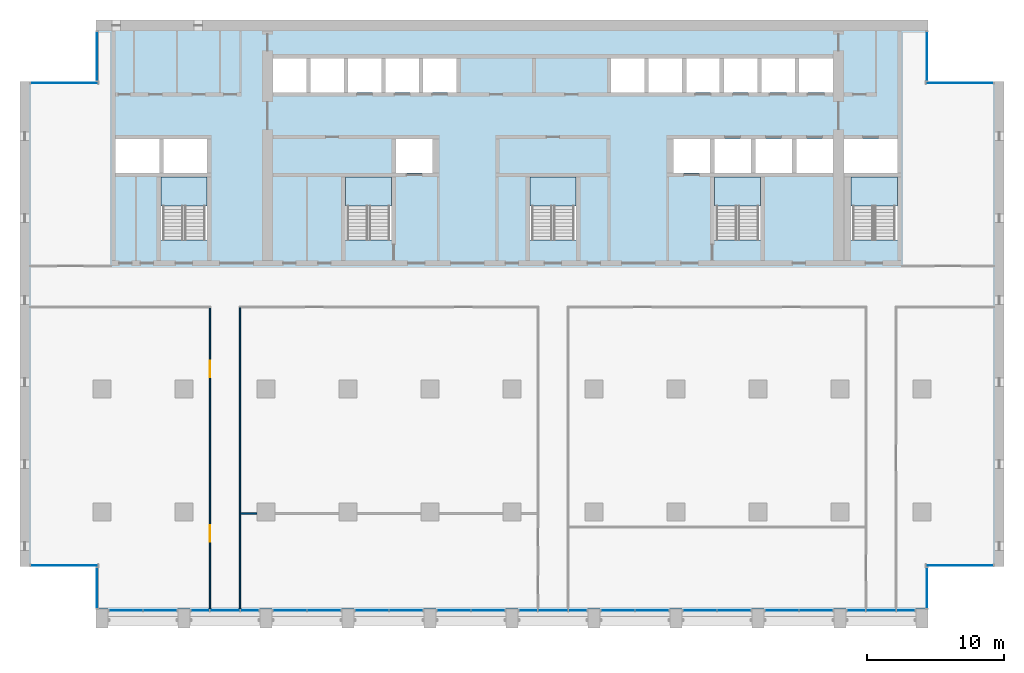
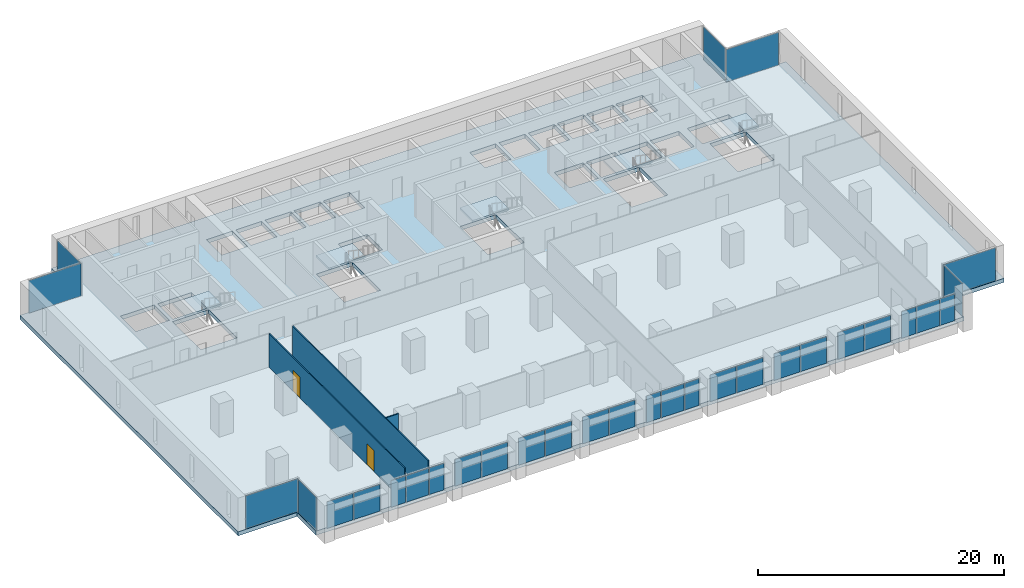
# One storey, part 7 of 15: 31 plates, 6 slabs, 3 walls, 2 doors, 2 openings, 23 elements without a shape of their own.
"""IFC4 building model written with IfcOpenShell, lengths in metres."""

from ifc_helpers import new_model, si_unit, direction, frame, frame_2d, origin, origin_2d, place, context, subcontext, project, spatial, polyline, rectangle, outline, extrude, material, layer, layer_set, type_object, element, fill, aggregate, save


model = new_model("IFC4")

# Units and contexts
model_context = context("Model", 3, precision=1e-05, world=origin(), true_north=direction((0.0, 1.0)))
body_context = subcontext(model_context, "Body", "Model", "MODEL_VIEW")
ifc_project = project(units=[si_unit("LENGTHUNIT", "METRE"), si_unit("AREAUNIT", "SQUARE_METRE"), si_unit("VOLUMEUNIT", "CUBIC_METRE"), si_unit("PLANEANGLEUNIT", "RADIAN"), si_unit("MASSUNIT", "GRAM", prefix="KILO")], contexts=[model_context])

# Site, building, storey
site_placement = place(None, origin())
site = spatial("IfcSite", under=ifc_project, at=site_placement, CompositionType="ELEMENT")
building_placement = place(site_placement, origin())
building = spatial("IfcBuilding", under=site, at=building_placement, Name="Calvaro Tower", CompositionType="ELEMENT")
storey_placement = place(building_placement, frame((0.0, 0.0, 113.75)))
storey = spatial("IfcBuildingStorey", under=building, at=storey_placement, Name="L28", CompositionType="ELEMENT", Elevation=113.75)

# Slab
ifc_material_1 = material(Name="Concrete C40/50", Category="concrete")
ifc_layer_1 = layer(ifc_material_1, 0.39990234375)
ifc_layer_set_1 = layer_set([ifc_layer_1], Name="Concrete C40/50")
slab_type_1 = type_object("IfcSlabType", Name="Floor slab 400 C40/50", PredefinedType="FLOOR", material=ifc_layer_set_1)
slab_1_placement = place(storey_placement, frame((0.0, 0.0, -0.39990234375)))
element("IfcSlab", 1, at=slab_1_placement, inside=storey, type_object=slab_type_1, Name="Floor slab", PredefinedType="FLOOR", context=body_context, shape_type="SweptSolid", body=[
    extrude(outline(polyline([(66.449951171875, 6.0), (66.449951171875, 2.89990234375), (5.550048828125, 2.89990234375), (5.550048828125, 6.0), (0.0, 6.0), (0.0, 41.5), (5.550048828125, 41.5), (5.550048828125, 46.0), (66.449951171875, 46.0), (66.449951171875, 41.5), (72.0, 41.5), (72.0, 6.0), (66.449951171875, 6.0)]), holes=[polyline([(10.300048828125, 29.909912109375), (10.300048828125, 34.5), (12.0, 34.5), (13.699951171875, 34.5), (13.699951171875, 29.909912109375), (12.0, 29.909912109375), (10.300048828125, 29.909912109375)]), polyline([(23.800048828125, 29.909912109375), (23.800048828125, 34.5), (25.5, 34.5), (27.199951171875, 34.5), (27.199951171875, 29.909912109375), (25.5, 29.909912109375), (23.800048828125, 29.909912109375)]), polyline([(37.300048828125, 29.909912109375), (37.300048828125, 34.5), (39.0, 34.5), (40.699951171875, 34.5), (40.699951171875, 29.909912109375), (39.0, 29.909912109375), (37.300048828125, 29.909912109375)]), polyline([(50.800048828125, 29.909912109375), (50.800048828125, 34.5), (52.5, 34.5), (54.199951171875, 34.5), (54.199951171875, 29.909912109375), (52.5, 29.909912109375), (50.800048828125, 29.909912109375)]), polyline([(60.800048828125, 29.909912109375), (60.800048828125, 34.5), (62.5, 34.5), (64.199951171875, 34.5), (64.199951171875, 29.909912109375), (62.5, 29.909912109375), (60.800048828125, 29.909912109375)]), polyline([(50.800048828125, 34.800048828125), (53.5, 34.800048828125), (53.5, 37.300048828125), (50.800048828125, 37.300048828125), (50.800048828125, 34.800048828125)]), polyline([(53.800048828125, 34.800048828125), (56.5, 34.800048828125), (56.5, 37.300048828125), (53.800048828125, 37.300048828125), (53.800048828125, 34.800048828125)]), polyline([(56.800048828125, 34.800048828125), (59.5, 34.800048828125), (59.5, 37.300048828125), (56.800048828125, 37.300048828125), (56.800048828125, 34.800048828125)]), polyline([(18.5, 40.699951171875), (20.949951171875, 40.699951171875), (20.949951171875, 43.199951171875), (18.5, 43.199951171875), (18.5, 40.699951171875)]), polyline([(21.25, 40.699951171875), (23.699951171875, 40.699951171875), (23.699951171875, 43.199951171875), (21.25, 43.199951171875), (21.25, 40.699951171875)]), polyline([(24.0, 40.699951171875), (26.449951171875, 40.699951171875), (26.449951171875, 43.199951171875), (24.0, 43.199951171875), (24.0, 40.699951171875)]), polyline([(26.75, 40.699951171875), (29.199951171875, 40.699951171875), (29.199951171875, 43.199951171875), (26.75, 43.199951171875), (26.75, 40.699951171875)]), polyline([(29.5, 40.699951171875), (31.949951171875, 40.699951171875), (31.949951171875, 43.199951171875), (29.5, 43.199951171875), (29.5, 40.699951171875)]), polyline([(43.25, 40.699951171875), (45.699951171875, 40.699951171875), (45.699951171875, 43.199951171875), (43.25, 43.199951171875), (43.25, 40.699951171875)]), polyline([(46.0, 40.699951171875), (48.449951171875, 40.699951171875), (48.449951171875, 43.199951171875), (46.0, 43.199951171875), (46.0, 40.699951171875)]), polyline([(48.75, 40.699951171875), (51.199951171875, 40.699951171875), (51.199951171875, 43.199951171875), (48.75, 43.199951171875), (48.75, 40.699951171875)]), polyline([(51.5, 40.699951171875), (53.949951171875, 40.699951171875), (53.949951171875, 43.199951171875), (51.5, 43.199951171875), (51.5, 40.699951171875)]), polyline([(54.25, 40.699951171875), (56.699951171875, 40.699951171875), (56.699951171875, 43.199951171875), (54.25, 43.199951171875), (54.25, 40.699951171875)]), polyline([(57.0, 40.699951171875), (59.5, 40.699951171875), (59.5, 43.199951171875), (57.0, 43.199951171875), (57.0, 40.699951171875)]), polyline([(7.0, 34.800048828125), (10.199951171875, 34.800048828125), (10.199951171875, 37.300048828125), (7.0, 37.300048828125), (7.0, 34.800048828125)]), polyline([(10.5, 34.800048828125), (13.699951171875, 34.800048828125), (13.699951171875, 37.300048828125), (10.5, 37.300048828125), (10.5, 34.800048828125)]), polyline([(60.300048828125, 34.800048828125), (64.199951171875, 34.800048828125), (64.199951171875, 37.300048828125), (60.300048828125, 37.300048828125), (60.300048828125, 34.800048828125)]), polyline([(27.5, 34.800048828125), (30.199951171875, 34.800048828125), (30.199951171875, 37.300048828125), (27.5, 37.300048828125), (27.5, 34.800048828125)]), polyline([(47.800048828125, 34.800048828125), (50.5, 34.800048828125), (50.5, 37.300048828125), (47.800048828125, 37.300048828125), (47.800048828125, 34.800048828125)])]), origin(), (0.0, 0.0, 1.0), 0.39990234375),
])

# Curtain wall, plates
ifc_material_2 = material(Name="Anodised aluminium", Category="aluminium")
curtain_wall_type = type_object("IfcCurtainWallType", Name="Office curtain wall, middle zone", PredefinedType="NOTDEFINED", material=ifc_material_2)
curtain_wall_1_placement = place(storey_placement, origin())
curtain_wall_1 = element("IfcCurtainWall", 2, at=curtain_wall_1_placement, inside=storey, type_object=curtain_wall_type, Name="CW2 south curtain wall", PredefinedType="NOTDEFINED")
ifc_material_3 = material(Name="Glass", Category="glass")
ifc_layer_2 = layer(ifc_material_3, 0.031982421875)
ifc_layer_set_2 = layer_set([ifc_layer_2], Name="Glass")
plate_type = type_object("IfcPlateType", Name="Glass panel S2 32", PredefinedType="CURTAIN_PANEL", material=ifc_layer_set_2)
plate_1_placement = place(storey_placement, frame((7.742431640625, 2.800048828125, 0.0), z_axis=(0.0, 0.0, 1.0), x_axis=(1.0, 0.0, 0.0)))
plate_1 = element("IfcPlate", 3, at=plate_1_placement, type_object=plate_type, Name="CW2 glass panel 1.1", PredefinedType="CURTAIN_PANEL", context=body_context, shape_type="SweptSolid", body=[
    extrude(rectangle(XDim=2.445068359375, YDim=0.031982421875, at=origin_2d()), origin(), (0.0, 0.0, 1.0), 2.64990234375),
])
plate_2_placement = place(storey_placement, frame((10.257568359375, 2.800048828125, 0.0), z_axis=(0.0, 0.0, 1.0), x_axis=(1.0, 0.0, 0.0)))
plate_2 = element("IfcPlate", 4, at=plate_2_placement, type_object=plate_type, Name="CW2 glass panel 2.1", PredefinedType="CURTAIN_PANEL", context=body_context, shape_type="SweptSolid", body=[
    extrude(rectangle(XDim=2.445068359375, YDim=0.031982421875, at=origin_2d()), origin(), (0.0, 0.0, 1.0), 2.64990234375),
])
aggregate(curtain_wall_1, [plate_1, plate_2])

curtain_wall_2_placement = place(storey_placement, origin())
curtain_wall_2 = element("IfcCurtainWall", 5, at=curtain_wall_2_placement, inside=storey, type_object=curtain_wall_type, Name="CW2 south curtain wall", PredefinedType="NOTDEFINED")
plate_3_placement = place(storey_placement, frame((13.1923828125, 2.800048828125, 0.0), z_axis=(0.0, 0.0, 1.0), x_axis=(1.0, 0.0, 0.0)))
plate_3 = element("IfcPlate", 6, at=plate_3_placement, type_object=plate_type, Name="CW2 glass panel 1.1", PredefinedType="CURTAIN_PANEL", context=body_context, shape_type="SweptSolid", body=[
    extrude(rectangle(XDim=1.344970703125, YDim=0.031982421875, at=origin_2d()), origin(), (0.0, 0.0, 1.0), 2.64990234375),
])
plate_4_placement = place(storey_placement, frame((15.0, 2.800048828125, 0.0), z_axis=(0.0, 0.0, 1.0), x_axis=(1.0, 0.0, 0.0)))
plate_4 = element("IfcPlate", 7, at=plate_4_placement, type_object=plate_type, Name="CW2 glass panel 2.1", PredefinedType="CURTAIN_PANEL", context=body_context, shape_type="SweptSolid", body=[
    extrude(rectangle(XDim=2.1298828125, YDim=0.031982421875, at=origin_2d()), origin(), (0.0, 0.0, 1.0), 2.64990234375),
])
plate_5_placement = place(storey_placement, frame((16.8076171875, 2.800048828125, 0.0), z_axis=(0.0, 0.0, 1.0), x_axis=(1.0, 0.0, 0.0)))
plate_5 = element("IfcPlate", 8, at=plate_5_placement, type_object=plate_type, Name="CW2 glass panel 3.1", PredefinedType="CURTAIN_PANEL", context=body_context, shape_type="SweptSolid", body=[
    extrude(rectangle(XDim=1.344970703125, YDim=0.031982421875, at=origin_2d()), origin(), (0.0, 0.0, 1.0), 2.64990234375),
])
aggregate(curtain_wall_2, [plate_3, plate_4, plate_5])

curtain_wall_3_placement = place(storey_placement, origin())
curtain_wall_3 = element("IfcCurtainWall", 9, at=curtain_wall_3_placement, inside=storey, type_object=curtain_wall_type, Name="CW2 south curtain wall", PredefinedType="NOTDEFINED")
plate_6_placement = place(storey_placement, frame((19.742431640625, 2.800048828125, 0.0), z_axis=(0.0, 0.0, 1.0), x_axis=(1.0, 0.0, 0.0)))
plate_6 = element("IfcPlate", 10, at=plate_6_placement, type_object=plate_type, Name="CW2 glass panel 1.1", PredefinedType="CURTAIN_PANEL", context=body_context, shape_type="SweptSolid", body=[
    extrude(rectangle(XDim=2.445068359375, YDim=0.031982421875, at=origin_2d()), origin(), (0.0, 0.0, 1.0), 2.64990234375),
])
plate_7_placement = place(storey_placement, frame((22.257568359375, 2.800048828125, 0.0), z_axis=(0.0, 0.0, 1.0), x_axis=(1.0, 0.0, 0.0)))
plate_7 = element("IfcPlate", 11, at=plate_7_placement, type_object=plate_type, Name="CW2 glass panel 2.1", PredefinedType="CURTAIN_PANEL", context=body_context, shape_type="SweptSolid", body=[
    extrude(rectangle(XDim=2.445068359375, YDim=0.031982421875, at=origin_2d()), origin(), (0.0, 0.0, 1.0), 2.64990234375),
])
aggregate(curtain_wall_3, [plate_6, plate_7])

curtain_wall_4_placement = place(storey_placement, origin())
curtain_wall_4 = element("IfcCurtainWall", 12, at=curtain_wall_4_placement, inside=storey, type_object=curtain_wall_type, Name="CW2 south curtain wall", PredefinedType="NOTDEFINED")
plate_8_placement = place(storey_placement, frame((25.742431640625, 2.800048828125, 0.0), z_axis=(0.0, 0.0, 1.0), x_axis=(1.0, 0.0, 0.0)))
plate_8 = element("IfcPlate", 13, at=plate_8_placement, type_object=plate_type, Name="CW2 glass panel 1.1", PredefinedType="CURTAIN_PANEL", context=body_context, shape_type="SweptSolid", body=[
    extrude(rectangle(XDim=2.445068359375, YDim=0.031982421875, at=origin_2d()), origin(), (0.0, 0.0, 1.0), 2.64990234375),
])
plate_9_placement = place(storey_placement, frame((28.257568359375, 2.800048828125, 0.0), z_axis=(0.0, 0.0, 1.0), x_axis=(1.0, 0.0, 0.0)))
plate_9 = element("IfcPlate", 14, at=plate_9_placement, type_object=plate_type, Name="CW2 glass panel 2.1", PredefinedType="CURTAIN_PANEL", context=body_context, shape_type="SweptSolid", body=[
    extrude(rectangle(XDim=2.445068359375, YDim=0.031982421875, at=origin_2d()), origin(), (0.0, 0.0, 1.0), 2.64990234375),
])
aggregate(curtain_wall_4, [plate_8, plate_9])

curtain_wall_5_placement = place(storey_placement, origin())
curtain_wall_5 = element("IfcCurtainWall", 15, at=curtain_wall_5_placement, inside=storey, type_object=curtain_wall_type, Name="CW2 south curtain wall", PredefinedType="NOTDEFINED")
plate_10_placement = place(storey_placement, frame((31.742431640625, 2.800048828125, 0.0), z_axis=(0.0, 0.0, 1.0), x_axis=(1.0, 0.0, 0.0)))
plate_10 = element("IfcPlate", 16, at=plate_10_placement, type_object=plate_type, Name="CW2 glass panel 1.1", PredefinedType="CURTAIN_PANEL", context=body_context, shape_type="SweptSolid", body=[
    extrude(rectangle(XDim=2.445068359375, YDim=0.031982421875, at=origin_2d()), origin(), (0.0, 0.0, 1.0), 2.64990234375),
])
plate_11_placement = place(storey_placement, frame((34.257568359375, 2.800048828125, 0.0), z_axis=(0.0, 0.0, 1.0), x_axis=(1.0, 0.0, 0.0)))
plate_11 = element("IfcPlate", 17, at=plate_11_placement, type_object=plate_type, Name="CW2 glass panel 2.1", PredefinedType="CURTAIN_PANEL", context=body_context, shape_type="SweptSolid", body=[
    extrude(rectangle(XDim=2.445068359375, YDim=0.031982421875, at=origin_2d()), origin(), (0.0, 0.0, 1.0), 2.64990234375),
])
aggregate(curtain_wall_5, [plate_10, plate_11])

curtain_wall_6_placement = place(storey_placement, origin())
curtain_wall_6 = element("IfcCurtainWall", 18, at=curtain_wall_6_placement, inside=storey, type_object=curtain_wall_type, Name="CW2 south curtain wall", PredefinedType="NOTDEFINED")
plate_12_placement = place(storey_placement, frame((37.1923828125, 2.800048828125, 0.0), z_axis=(0.0, 0.0, 1.0), x_axis=(1.0, 0.0, 0.0)))
plate_12 = element("IfcPlate", 19, at=plate_12_placement, type_object=plate_type, Name="CW2 glass panel 1.1", PredefinedType="CURTAIN_PANEL", context=body_context, shape_type="SweptSolid", body=[
    extrude(rectangle(XDim=1.344970703125, YDim=0.031982421875, at=origin_2d()), origin(), (0.0, 0.0, 1.0), 2.64990234375),
])
plate_13_placement = place(storey_placement, frame((39.0, 2.800048828125, 0.0), z_axis=(0.0, 0.0, 1.0), x_axis=(1.0, 0.0, 0.0)))
plate_13 = element("IfcPlate", 20, at=plate_13_placement, type_object=plate_type, Name="CW2 glass panel 2.1", PredefinedType="CURTAIN_PANEL", context=body_context, shape_type="SweptSolid", body=[
    extrude(rectangle(XDim=2.1298828125, YDim=0.031982421875, at=origin_2d()), origin(), (0.0, 0.0, 1.0), 2.64990234375),
])
plate_14_placement = place(storey_placement, frame((40.8076171875, 2.800048828125, 0.0), z_axis=(0.0, 0.0, 1.0), x_axis=(1.0, 0.0, 0.0)))
plate_14 = element("IfcPlate", 21, at=plate_14_placement, type_object=plate_type, Name="CW2 glass panel 3.1", PredefinedType="CURTAIN_PANEL", context=body_context, shape_type="SweptSolid", body=[
    extrude(rectangle(XDim=1.344970703125, YDim=0.031982421875, at=origin_2d()), origin(), (0.0, 0.0, 1.0), 2.64990234375),
])
aggregate(curtain_wall_6, [plate_12, plate_13, plate_14])

curtain_wall_7_placement = place(storey_placement, origin())
curtain_wall_7 = element("IfcCurtainWall", 22, at=curtain_wall_7_placement, inside=storey, type_object=curtain_wall_type, Name="CW2 south curtain wall", PredefinedType="NOTDEFINED")
plate_15_placement = place(storey_placement, frame((43.742431640625, 2.800048828125, 0.0), z_axis=(0.0, 0.0, 1.0), x_axis=(1.0, 0.0, 0.0)))
plate_15 = element("IfcPlate", 23, at=plate_15_placement, type_object=plate_type, Name="CW2 glass panel 1.1", PredefinedType="CURTAIN_PANEL", context=body_context, shape_type="SweptSolid", body=[
    extrude(rectangle(XDim=2.445068359375, YDim=0.031982421875, at=origin_2d()), origin(), (0.0, 0.0, 1.0), 2.64990234375),
])
plate_16_placement = place(storey_placement, frame((46.257568359375, 2.800048828125, 0.0), z_axis=(0.0, 0.0, 1.0), x_axis=(1.0, 0.0, 0.0)))
plate_16 = element("IfcPlate", 24, at=plate_16_placement, type_object=plate_type, Name="CW2 glass panel 2.1", PredefinedType="CURTAIN_PANEL", context=body_context, shape_type="SweptSolid", body=[
    extrude(rectangle(XDim=2.445068359375, YDim=0.031982421875, at=origin_2d()), origin(), (0.0, 0.0, 1.0), 2.64990234375),
])
aggregate(curtain_wall_7, [plate_15, plate_16])

curtain_wall_8_placement = place(storey_placement, origin())
curtain_wall_8 = element("IfcCurtainWall", 25, at=curtain_wall_8_placement, inside=storey, type_object=curtain_wall_type, Name="CW2 south curtain wall", PredefinedType="NOTDEFINED")
plate_17_placement = place(storey_placement, frame((49.742431640625, 2.800048828125, 0.0), z_axis=(0.0, 0.0, 1.0), x_axis=(1.0, 0.0, 0.0)))
plate_17 = element("IfcPlate", 26, at=plate_17_placement, type_object=plate_type, Name="CW2 glass panel 1.1", PredefinedType="CURTAIN_PANEL", context=body_context, shape_type="SweptSolid", body=[
    extrude(rectangle(XDim=2.445068359375, YDim=0.031982421875, at=origin_2d()), origin(), (0.0, 0.0, 1.0), 2.64990234375),
])
plate_18_placement = place(storey_placement, frame((52.257568359375, 2.800048828125, 0.0), z_axis=(0.0, 0.0, 1.0), x_axis=(1.0, 0.0, 0.0)))
plate_18 = element("IfcPlate", 27, at=plate_18_placement, type_object=plate_type, Name="CW2 glass panel 2.1", PredefinedType="CURTAIN_PANEL", context=body_context, shape_type="SweptSolid", body=[
    extrude(rectangle(XDim=2.445068359375, YDim=0.031982421875, at=origin_2d()), origin(), (0.0, 0.0, 1.0), 2.64990234375),
])
aggregate(curtain_wall_8, [plate_17, plate_18])

curtain_wall_9_placement = place(storey_placement, origin())
curtain_wall_9 = element("IfcCurtainWall", 28, at=curtain_wall_9_placement, inside=storey, type_object=curtain_wall_type, Name="CW2 south curtain wall", PredefinedType="NOTDEFINED")
plate_19_placement = place(storey_placement, frame((55.742431640625, 2.800048828125, 0.0), z_axis=(0.0, 0.0, 1.0), x_axis=(1.0, 0.0, 0.0)))
plate_19 = element("IfcPlate", 29, at=plate_19_placement, type_object=plate_type, Name="CW2 glass panel 1.1", PredefinedType="CURTAIN_PANEL", context=body_context, shape_type="SweptSolid", body=[
    extrude(rectangle(XDim=2.445068359375, YDim=0.031982421875, at=origin_2d()), origin(), (0.0, 0.0, 1.0), 2.64990234375),
])
plate_20_placement = place(storey_placement, frame((58.257568359375, 2.800048828125, 0.0), z_axis=(0.0, 0.0, 1.0), x_axis=(1.0, 0.0, 0.0)))
plate_20 = element("IfcPlate", 30, at=plate_20_placement, type_object=plate_type, Name="CW2 glass panel 2.1", PredefinedType="CURTAIN_PANEL", context=body_context, shape_type="SweptSolid", body=[
    extrude(rectangle(XDim=2.445068359375, YDim=0.031982421875, at=origin_2d()), origin(), (0.0, 0.0, 1.0), 2.64990234375),
])
aggregate(curtain_wall_9, [plate_19, plate_20])

curtain_wall_10_placement = place(storey_placement, origin())
curtain_wall_10 = element("IfcCurtainWall", 31, at=curtain_wall_10_placement, inside=storey, type_object=curtain_wall_type, Name="CW2 south curtain wall", PredefinedType="NOTDEFINED")
plate_21_placement = place(storey_placement, frame((61.1923828125, 2.800048828125, 0.0), z_axis=(0.0, 0.0, 1.0), x_axis=(1.0, 0.0, 0.0)))
plate_21 = element("IfcPlate", 32, at=plate_21_placement, type_object=plate_type, Name="CW2 glass panel 1.1", PredefinedType="CURTAIN_PANEL", context=body_context, shape_type="SweptSolid", body=[
    extrude(rectangle(XDim=1.344970703125, YDim=0.031982421875, at=origin_2d()), origin(), (0.0, 0.0, 1.0), 2.64990234375),
])
plate_22_placement = place(storey_placement, frame((63.0, 2.800048828125, 0.0), z_axis=(0.0, 0.0, 1.0), x_axis=(1.0, 0.0, 0.0)))
plate_22 = element("IfcPlate", 33, at=plate_22_placement, type_object=plate_type, Name="CW2 glass panel 2.1", PredefinedType="CURTAIN_PANEL", context=body_context, shape_type="SweptSolid", body=[
    extrude(rectangle(XDim=2.1298828125, YDim=0.031982421875, at=origin_2d()), origin(), (0.0, 0.0, 1.0), 2.64990234375),
])
plate_23_placement = place(storey_placement, frame((64.8076171875, 2.800048828125, 0.0), z_axis=(0.0, 0.0, 1.0), x_axis=(1.0, 0.0, 0.0)))
plate_23 = element("IfcPlate", 34, at=plate_23_placement, type_object=plate_type, Name="CW2 glass panel 3.1", PredefinedType="CURTAIN_PANEL", context=body_context, shape_type="SweptSolid", body=[
    extrude(rectangle(XDim=1.344970703125, YDim=0.031982421875, at=origin_2d()), origin(), (0.0, 0.0, 1.0), 2.64990234375),
])
aggregate(curtain_wall_10, [plate_21, plate_22, plate_23])

# Curtain wall, plate
curtain_wall_11_placement = place(storey_placement, origin())
curtain_wall_11 = element("IfcCurtainWall", 35, at=curtain_wall_11_placement, inside=storey, type_object=curtain_wall_type, Name="CW2 corner curtain wall", PredefinedType="NOTDEFINED")
plate_24_placement = place(storey_placement, frame((5.64990234375, 4.449951171875, 0.0), z_axis=(0.0, 0.0, 1.0), x_axis=(0.0, 1.0, 0.0)))
plate_24 = element("IfcPlate", 36, at=plate_24_placement, type_object=plate_type, Name="CW2 glass panel 1.1", PredefinedType="CURTAIN_PANEL", context=body_context, shape_type="SweptSolid", body=[
    extrude(rectangle(XDim=2.9599609375, YDim=0.031982421875, at=origin_2d()), origin(), (0.0, 0.0, 1.0), 3.25),
])
aggregate(curtain_wall_11, [plate_24])

curtain_wall_12_placement = place(storey_placement, origin())
curtain_wall_12 = element("IfcCurtainWall", 37, at=curtain_wall_12_placement, inside=storey, type_object=curtain_wall_type, Name="CW2 corner curtain wall", PredefinedType="NOTDEFINED")
plate_25_placement = place(storey_placement, frame((3.22509765625, 6.10009765625, 0.0), z_axis=(0.0, 0.0, 1.0), x_axis=(1.0, 0.0, 0.0)))
plate_25 = element("IfcPlate", 38, at=plate_25_placement, type_object=plate_type, Name="CW2 glass panel 1.1", PredefinedType="CURTAIN_PANEL", context=body_context, shape_type="SweptSolid", body=[
    extrude(rectangle(XDim=4.909912109375, YDim=0.031982421875, at=origin_2d()), origin(), (0.0, 0.0, 1.0), 3.25),
])
aggregate(curtain_wall_12, [plate_25])

curtain_wall_13_placement = place(storey_placement, origin())
curtain_wall_13 = element("IfcCurtainWall", 39, at=curtain_wall_13_placement, inside=storey, type_object=curtain_wall_type, Name="CW2 corner curtain wall", PredefinedType="NOTDEFINED")
plate_26_placement = place(storey_placement, frame((5.64990234375, 43.35009765625, 0.0), z_axis=(0.0, 0.0, 1.0), x_axis=(0.0, 1.0, 0.0)))
plate_26 = element("IfcPlate", 40, at=plate_26_placement, type_object=plate_type, Name="CW2 glass panel 1.1", PredefinedType="CURTAIN_PANEL", context=body_context, shape_type="SweptSolid", body=[
    extrude(rectangle(XDim=3.56005859375, YDim=0.031982421875, at=origin_2d()), origin(), (0.0, 0.0, 1.0), 3.25),
])
aggregate(curtain_wall_13, [plate_26])

curtain_wall_14_placement = place(storey_placement, origin())
curtain_wall_14 = element("IfcCurtainWall", 41, at=curtain_wall_14_placement, inside=storey, type_object=curtain_wall_type, Name="CW2 corner curtain wall", PredefinedType="NOTDEFINED")
plate_27_placement = place(storey_placement, frame((3.22509765625, 41.39990234375, 0.0), z_axis=(0.0, 0.0, 1.0), x_axis=(1.0, 0.0, 0.0)))
plate_27 = element("IfcPlate", 42, at=plate_27_placement, type_object=plate_type, Name="CW2 glass panel 1.1", PredefinedType="CURTAIN_PANEL", context=body_context, shape_type="SweptSolid", body=[
    extrude(rectangle(XDim=4.909912109375, YDim=0.031982421875, at=origin_2d()), origin(), (0.0, 0.0, 1.0), 3.25),
])
aggregate(curtain_wall_14, [plate_27])

curtain_wall_15_placement = place(storey_placement, origin())
curtain_wall_15 = element("IfcCurtainWall", 43, at=curtain_wall_15_placement, inside=storey, type_object=curtain_wall_type, Name="CW2 corner curtain wall", PredefinedType="NOTDEFINED")
plate_28_placement = place(storey_placement, frame((66.35009765625, 4.449951171875, 0.0), z_axis=(0.0, 0.0, 1.0), x_axis=(0.0, 1.0, 0.0)))
plate_28 = element("IfcPlate", 44, at=plate_28_placement, type_object=plate_type, Name="CW2 glass panel 1.1", PredefinedType="CURTAIN_PANEL", context=body_context, shape_type="SweptSolid", body=[
    extrude(rectangle(XDim=2.9599609375, YDim=0.031982421875, at=origin_2d()), origin(), (0.0, 0.0, 1.0), 3.25),
])
aggregate(curtain_wall_15, [plate_28])

curtain_wall_16_placement = place(storey_placement, origin())
curtain_wall_16 = element("IfcCurtainWall", 45, at=curtain_wall_16_placement, inside=storey, type_object=curtain_wall_type, Name="CW2 corner curtain wall", PredefinedType="NOTDEFINED")
plate_29_placement = place(storey_placement, frame((68.77490234375, 6.10009765625, 0.0), z_axis=(0.0, 0.0, 1.0), x_axis=(1.0, 0.0, 0.0)))
plate_29 = element("IfcPlate", 46, at=plate_29_placement, type_object=plate_type, Name="CW2 glass panel 1.1", PredefinedType="CURTAIN_PANEL", context=body_context, shape_type="SweptSolid", body=[
    extrude(rectangle(XDim=4.909912109375, YDim=0.031982421875, at=origin_2d()), origin(), (0.0, 0.0, 1.0), 3.25),
])
aggregate(curtain_wall_16, [plate_29])

curtain_wall_17_placement = place(storey_placement, origin())
curtain_wall_17 = element("IfcCurtainWall", 47, at=curtain_wall_17_placement, inside=storey, type_object=curtain_wall_type, Name="CW2 corner curtain wall", PredefinedType="NOTDEFINED")
plate_30_placement = place(storey_placement, frame((66.35009765625, 43.35009765625, 0.0), z_axis=(0.0, 0.0, 1.0), x_axis=(0.0, 1.0, 0.0)))
plate_30 = element("IfcPlate", 48, at=plate_30_placement, type_object=plate_type, Name="CW2 glass panel 1.1", PredefinedType="CURTAIN_PANEL", context=body_context, shape_type="SweptSolid", body=[
    extrude(rectangle(XDim=3.56005859375, YDim=0.031982421875, at=origin_2d()), origin(), (0.0, 0.0, 1.0), 3.25),
])
aggregate(curtain_wall_17, [plate_30])

curtain_wall_18_placement = place(storey_placement, origin())
curtain_wall_18 = element("IfcCurtainWall", 49, at=curtain_wall_18_placement, inside=storey, type_object=curtain_wall_type, Name="CW2 corner curtain wall", PredefinedType="NOTDEFINED")
plate_31_placement = place(storey_placement, frame((68.77490234375, 41.39990234375, 0.0), z_axis=(0.0, 0.0, 1.0), x_axis=(1.0, 0.0, 0.0)))
plate_31 = element("IfcPlate", 50, at=plate_31_placement, type_object=plate_type, Name="CW2 glass panel 1.1", PredefinedType="CURTAIN_PANEL", context=body_context, shape_type="SweptSolid", body=[
    extrude(rectangle(XDim=4.909912109375, YDim=0.031982421875, at=origin_2d()), origin(), (0.0, 0.0, 1.0), 3.25),
])
aggregate(curtain_wall_18, [plate_31])

# Stair, slab
ifc_material_4 = material(Name="Concrete C40/50", Category="concrete")
stair_type = type_object("IfcStairType", Name="Exit stair 1400 2 flights", PredefinedType="HALF_TURN_STAIR", material=ifc_material_4)
stair_1_placement = place(storey_placement, origin())
stair_1 = element("IfcStair", 51, at=stair_1_placement, inside=storey, type_object=stair_type, Name="Exit stair S1", PredefinedType="HALF_TURN_STAIR")
ifc_material_5 = material(Name="Concrete C40/50", Category="concrete")
ifc_layer_3 = layer(ifc_material_5, 0.199951171875)
ifc_layer_set_3 = layer_set([ifc_layer_3], Name="Concrete C40/50")
slab_type_2 = type_object("IfcSlabType", Name="Stair landing", PredefinedType="LANDING", material=ifc_layer_set_3)
slab_2_placement = place(storey_placement, frame((0.0, 0.0, 1.675048828125)))
slab_2 = element("IfcSlab", 52, at=slab_2_placement, type_object=slab_type_2, Name="Exit stair 1, landing 1", PredefinedType="LANDING", context=body_context, shape_type="SweptSolid", body=[
    extrude(outline(polyline([(11.89990234375, 32.389892578125), (10.5, 32.389892578125), (10.5, 32.39990234375), (10.300048828125, 32.39990234375), (10.300048828125, 34.5), (10.5, 34.5), (11.89990234375, 34.5), (12.10009765625, 34.5), (13.5, 34.5), (13.699951171875, 34.5), (13.699951171875, 32.39990234375), (13.5, 32.39990234375), (13.5, 32.389892578125), (12.10009765625, 32.389892578125), (12.10009765625, 32.39990234375), (11.89990234375, 32.39990234375), (11.89990234375, 32.389892578125)])), origin(), (0.0, 0.0, 1.0), 0.199951171875),
])
aggregate(stair_1, [slab_2])

stair_2_placement = place(storey_placement, origin())
stair_2 = element("IfcStair", 53, at=stair_2_placement, inside=storey, type_object=stair_type, Name="Exit stair S2", PredefinedType="HALF_TURN_STAIR")
slab_3_placement = place(storey_placement, frame((0.0, 0.0, 1.675048828125)))
slab_3 = element("IfcSlab", 54, at=slab_3_placement, type_object=slab_type_2, Name="Exit stair 2, landing 1", PredefinedType="LANDING", context=body_context, shape_type="SweptSolid", body=[
    extrude(outline(polyline([(25.39990234375, 32.389892578125), (24.0, 32.389892578125), (24.0, 32.39990234375), (23.800048828125, 32.39990234375), (23.800048828125, 34.5), (24.0, 34.5), (25.39990234375, 34.5), (25.60009765625, 34.5), (27.0, 34.5), (27.199951171875, 34.5), (27.199951171875, 32.39990234375), (27.0, 32.39990234375), (27.0, 32.389892578125), (25.60009765625, 32.389892578125), (25.60009765625, 32.39990234375), (25.39990234375, 32.39990234375), (25.39990234375, 32.389892578125)])), origin(), (0.0, 0.0, 1.0), 0.199951171875),
])
aggregate(stair_2, [slab_3])

stair_3_placement = place(storey_placement, origin())
stair_3 = element("IfcStair", 55, at=stair_3_placement, inside=storey, type_object=stair_type, Name="Exit stair S3", PredefinedType="HALF_TURN_STAIR")
slab_4_placement = place(storey_placement, frame((0.0, 0.0, 1.675048828125)))
slab_4 = element("IfcSlab", 56, at=slab_4_placement, type_object=slab_type_2, Name="Exit stair 3, landing 1", PredefinedType="LANDING", context=body_context, shape_type="SweptSolid", body=[
    extrude(outline(polyline([(38.89990234375, 32.389892578125), (37.5, 32.389892578125), (37.5, 32.39990234375), (37.300048828125, 32.39990234375), (37.300048828125, 34.5), (37.5, 34.5), (38.89990234375, 34.5), (39.10009765625, 34.5), (40.5, 34.5), (40.699951171875, 34.5), (40.699951171875, 32.39990234375), (40.5, 32.39990234375), (40.5, 32.389892578125), (39.10009765625, 32.389892578125), (39.10009765625, 32.39990234375), (38.89990234375, 32.39990234375), (38.89990234375, 32.389892578125)])), origin(), (0.0, 0.0, 1.0), 0.199951171875),
])
aggregate(stair_3, [slab_4])

stair_4_placement = place(storey_placement, origin())
stair_4 = element("IfcStair", 57, at=stair_4_placement, inside=storey, type_object=stair_type, Name="Exit stair S4", PredefinedType="HALF_TURN_STAIR")
slab_5_placement = place(storey_placement, frame((0.0, 0.0, 1.675048828125)))
slab_5 = element("IfcSlab", 58, at=slab_5_placement, type_object=slab_type_2, Name="Exit stair 4, landing 1", PredefinedType="LANDING", context=body_context, shape_type="SweptSolid", body=[
    extrude(outline(polyline([(52.39990234375, 32.389892578125), (51.0, 32.389892578125), (51.0, 32.39990234375), (50.800048828125, 32.39990234375), (50.800048828125, 34.5), (51.0, 34.5), (52.39990234375, 34.5), (52.60009765625, 34.5), (54.0, 34.5), (54.199951171875, 34.5), (54.199951171875, 32.39990234375), (54.0, 32.39990234375), (54.0, 32.389892578125), (52.60009765625, 32.389892578125), (52.60009765625, 32.39990234375), (52.39990234375, 32.39990234375), (52.39990234375, 32.389892578125)])), origin(), (0.0, 0.0, 1.0), 0.199951171875),
])
aggregate(stair_4, [slab_5])

stair_5_placement = place(storey_placement, origin())
stair_5 = element("IfcStair", 59, at=stair_5_placement, inside=storey, type_object=stair_type, Name="Exit stair S5", PredefinedType="HALF_TURN_STAIR")
slab_6_placement = place(storey_placement, frame((0.0, 0.0, 1.675048828125)))
slab_6 = element("IfcSlab", 60, at=slab_6_placement, type_object=slab_type_2, Name="Exit stair 5, landing 1", PredefinedType="LANDING", context=body_context, shape_type="SweptSolid", body=[
    extrude(outline(polyline([(62.39990234375, 32.389892578125), (61.0, 32.389892578125), (61.0, 32.39990234375), (60.800048828125, 32.39990234375), (60.800048828125, 34.5), (61.0, 34.5), (62.39990234375, 34.5), (62.60009765625, 34.5), (64.0, 34.5), (64.199951171875, 34.5), (64.199951171875, 32.39990234375), (64.0, 32.39990234375), (64.0, 32.389892578125), (62.60009765625, 32.389892578125), (62.60009765625, 32.39990234375), (62.39990234375, 32.39990234375), (62.39990234375, 32.389892578125)])), origin(), (0.0, 0.0, 1.0), 0.199951171875),
])
aggregate(stair_5, [slab_6])

# Wall
ifc_material_6 = material(Name="Plasterboard on steel studs", Category="steel")
ifc_layer_4 = layer(ifc_material_6, 0.10009765625)
ifc_layer_set_4 = layer_set([ifc_layer_4], Name="Plasterboard on steel studs")
wall_type = type_object("IfcWallType", Name="Partition 100", PredefinedType="PARTITIONING", material=ifc_layer_set_4)
wall_1_placement = place(storey_placement, frame((16.14990234375, 9.89990234375, 0.0), z_axis=(0.0, 0.0, 1.0), x_axis=(1.0, 0.0, 0.0)))
element("IfcWall", 61, at=wall_1_placement, inside=storey, type_object=wall_type, Name="Partition T18.W006", PredefinedType="PARTITIONING", context=body_context, shape_type="SweptSolid", body=[
    extrude(rectangle(XDim=1.175048828125, YDim=0.10009765625, at=frame_2d((0.58740234375, 0.0))), origin(), (0.0, 0.0, 1.0), 3.35009765625),
])

# Wall, openings, doors
wall_2_placement = place(storey_placement, frame((13.89990234375, 2.89990234375, 0.0), z_axis=(0.0, 0.0, 1.0), x_axis=(0.0, 1.0, 0.0)))
wall_2 = element("IfcWall", 62, at=wall_2_placement, inside=storey, type_object=wall_type, Name="Partition T18.W013", PredefinedType="PARTITIONING", context=body_context, shape_type="SweptSolid", body=[
    extrude(rectangle(XDim=22.050048828125, YDim=0.10009765625, at=frame_2d((11.02490234375, 0.0))), origin(), (0.0, 0.0, 1.0), 3.35009765625),
])
opening_1_placement = place(wall_2_placement, frame((4.925048828125, 0.0, 0.0)))
opening_1 = element("IfcOpeningElement", 63, at=opening_1_placement, cuts=wall_2, Name="Opening T18.004", PredefinedType="OPENING", context=body_context, shape_type="SweptSolid", body=[
    extrude(rectangle(XDim=1.199951171875, YDim=2.10009765625, at=frame_2d((0.60009765625, 1.050048828125))), frame((0.0, 0.06005859375, 0.0), z_axis=(0.0, -1.0, 0.0), x_axis=(1.0, 0.0, 0.0)), (0.0, 0.0, 1.0), 0.1201171875),
])
opening_2_placement = place(wall_2_placement, frame((16.97509765625, 0.0, 0.0)))
opening_2 = element("IfcOpeningElement", 64, at=opening_2_placement, cuts=wall_2, Name="Opening T18.005", PredefinedType="OPENING", context=body_context, shape_type="SweptSolid", body=[
    extrude(rectangle(XDim=1.199951171875, YDim=2.10009765625, at=frame_2d((0.60009765625, 1.050048828125))), frame((0.0, 0.06005859375, 0.0), z_axis=(0.0, -1.0, 0.0), x_axis=(1.0, 0.0, 0.0)), (0.0, 0.0, 1.0), 0.1201171875),
])
ifc_material_7 = material(Name="Timber", Category="wood")
door_type = type_object("IfcDoorType", Name="Internal single door 1200 x 2100", OperationType="SINGLE_SWING_LEFT", PredefinedType="DOOR", material=ifc_material_7)
door_1_placement = place(opening_1_placement, origin())
door_1 = element("IfcDoor", 65, at=door_1_placement, inside=storey, type_object=door_type, Name="Door T18.004", OperationType="SINGLE_SWING_LEFT", OverallHeight=2.10009765625, OverallWidth=1.199951171875, PredefinedType="DOOR", context=body_context, shape_type="SweptSolid", body=[
    extrude(rectangle(XDim=1.199951171875, YDim=2.10009765625, at=frame_2d((0.60009765625, 1.050048828125))), frame((0.0, 0.02490234375, 0.0), z_axis=(0.0, -1.0, 0.0), x_axis=(1.0, 0.0, 0.0)), (0.0, 0.0, 1.0), 0.050048828125),
])
fill(opening_1, door_1)
door_2_placement = place(opening_2_placement, origin())
door_2 = element("IfcDoor", 66, at=door_2_placement, inside=storey, type_object=door_type, Name="Door T18.005", OperationType="SINGLE_SWING_RIGHT", OverallHeight=2.10009765625, OverallWidth=1.199951171875, PredefinedType="DOOR", context=body_context, shape_type="SweptSolid", body=[
    extrude(rectangle(XDim=1.199951171875, YDim=2.10009765625, at=frame_2d((0.60009765625, 1.050048828125))), frame((0.0, 0.02490234375, 0.0), z_axis=(0.0, -1.0, 0.0), x_axis=(1.0, 0.0, 0.0)), (0.0, 0.0, 1.0), 0.050048828125),
])
fill(opening_2, door_2)

# Wall
wall_3_placement = place(storey_placement, frame((16.10009765625, 2.89990234375, 0.0), z_axis=(0.0, 0.0, 1.0), x_axis=(0.0, 1.0, 0.0)))
element("IfcWall", 67, at=wall_3_placement, inside=storey, type_object=wall_type, Name="Partition T18.W014", PredefinedType="PARTITIONING", context=body_context, shape_type="SweptSolid", body=[
    extrude(rectangle(XDim=22.050048828125, YDim=0.10009765625, at=frame_2d((11.02490234375, 0.0))), origin(), (0.0, 0.0, 1.0), 3.35009765625),
])

save(model, "model.ifc")
